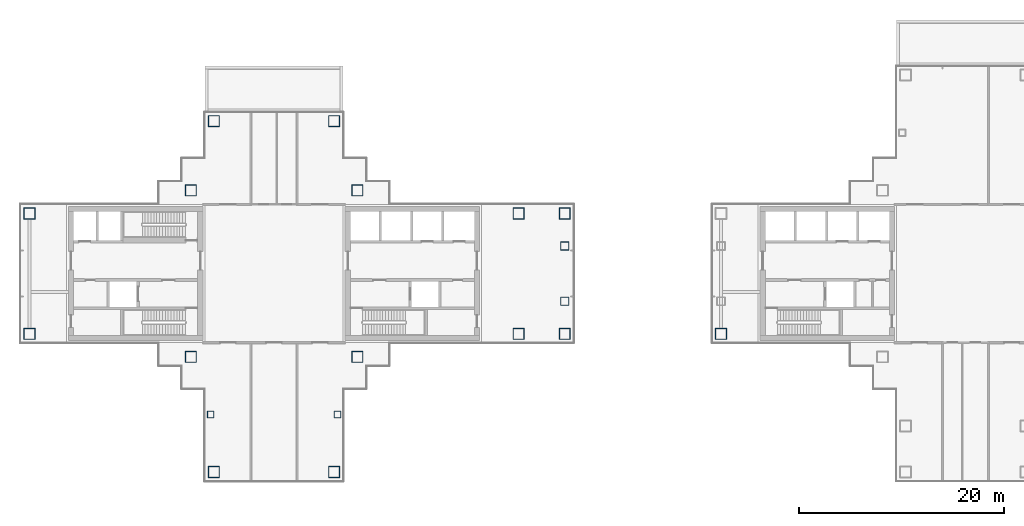
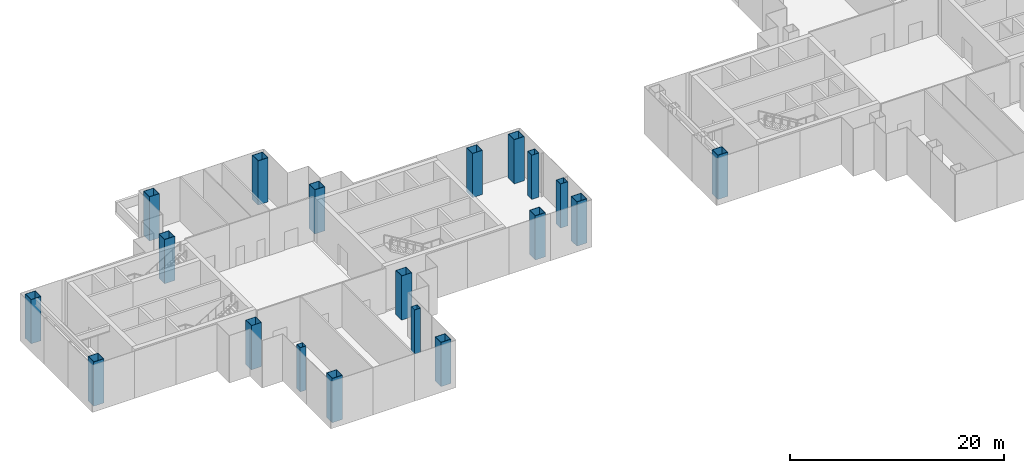
# One storey, part 1 of 15: 19 columns.
"""IFC4 building model written with IfcOpenShell, lengths in metres."""

from ifc_helpers import new_model, si_unit, direction, frame, origin, origin_2d, place, context, subcontext, project, spatial, hollow_rectangle, extrude, material, material_profile, profile_set, type_object, element, save


model = new_model("IFC4")

# Units and contexts
model_context = context("Model", 3, precision=1e-05, world=origin(), true_north=direction((0.0, 1.0)))
body_context = subcontext(model_context, "Body", "Model", "MODEL_VIEW")
ifc_project = project(units=[si_unit("LENGTHUNIT", "METRE"), si_unit("AREAUNIT", "SQUARE_METRE"), si_unit("VOLUMEUNIT", "CUBIC_METRE"), si_unit("PLANEANGLEUNIT", "RADIAN"), si_unit("MASSUNIT", "GRAM", prefix="KILO")], contexts=[model_context])

# Site, building, storey
site_placement = place(None, origin())
site = spatial("IfcSite", under=ifc_project, at=site_placement, CompositionType="ELEMENT")
building_placement = place(site_placement, origin())
building = spatial("IfcBuilding", under=site, at=building_placement, Name="Shamsa Quay Exchange Towers", CompositionType="ELEMENT")
storey_placement = place(building_placement, frame((0.0, 0.0, 133.5)))
storey = spatial("IfcBuildingStorey", under=building, at=storey_placement, Name="L31", CompositionType="ELEMENT", Elevation=133.5)

# Columns
ifc_material_1 = material(Name="Concrete-filled steel tube S355 / C80/95", Category="concrete")
ifc_material_profile_1 = material_profile(ifc_material_1, hollow_rectangle(XDim=1.10009765625, YDim=1.10009765625, WallThickness=0.0400390625, at=origin_2d()), Name="CFT 1100x1100x40")
ifc_profile_set_1 = profile_set([ifc_material_profile_1], Name="Concrete-filled steel tube S355 / C80/95")
column_type_1 = type_object("IfcColumnType", Name="Column CFT 1100x1100x40", PredefinedType="COLUMN", material=ifc_profile_set_1)
for number, where, name in (
    (1, (-25.625, 8.125, 0.0), "Mega column T1-CM01"),
    (2, (-25.625, -8.125, 0.0), "Mega column T1-CM02"),
    (3, (-41.875, 8.125, 0.0), "Mega column T1-CM03"),
    (4, (-41.875, -8.125, 0.0), "Mega column T1-CM04"),
    (5, (-9.875, -5.875, 0.0), "Mega column T1-CM05"),
    (6, (-5.375, -5.875, 0.0), "Mega column T1-CM06"),
    (7, (-9.875, 5.875, 0.0), "Mega column T1-CM07"),
    (8, (-5.375, 5.875, 0.0), "Mega column T1-CM08"),
    (9, (-57.625, -5.875, 0.0), "Mega column T1-CM09"),
    (10, (-57.625, 5.875, 0.0), "Mega column T1-CM11"),
    (11, (-39.625, 14.875, 0.0), "Mega column T1-CM13"),
    (12, (-27.875, 14.875, 0.0), "Mega column T1-CM16"),
    (13, (-39.625, -19.375, 0.0), "Mega column T1-CM20"),
    (14, (-27.875, -19.375, 0.0), "Mega column T1-CM23"),
    (15, (9.875, -5.875, 0.0), "Mega column T2-CM19"),
):
    element("IfcColumn", number, at=place(storey_placement, frame(where)), inside=storey, type_object=column_type_1, Name=name, PredefinedType="COLUMN", context=body_context, shape_type="SweptSolid", body=[
        extrude(hollow_rectangle(XDim=1.10009765625, YDim=1.10009765625, WallThickness=0.0400390625, at=origin_2d()), origin(), (0.0, 0.0, 1.0), 5.050048828125),
    ])
ifc_material_2 = material(Name="Concrete-filled steel tube S355 / C60/75", Category="concrete")
ifc_material_profile_2 = material_profile(ifc_material_2, hollow_rectangle(XDim=0.64990234375, YDim=0.64990234375, WallThickness=0.02001953125, at=origin_2d()), Name="CFT 650x650x20")
ifc_profile_set_2 = profile_set([ifc_material_profile_2], Name="Concrete-filled steel tube S355 / C60/75")
column_type_2 = type_object("IfcColumnType", Name="Column CFT 650x650x20", PredefinedType="COLUMN", material=ifc_profile_set_2)
for number, where, name in (
    (16, (-39.9375, -13.75, 0.0), "Perimeter column T1-CP19"),
    (17, (-27.5625, -13.75, 0.0), "Perimeter column T1-CP22"),
):
    element("IfcColumn", number, at=place(storey_placement, frame(where)), inside=storey, type_object=column_type_2, Name=name, PredefinedType="COLUMN", context=body_context, shape_type="SweptSolid", body=[
        extrude(hollow_rectangle(XDim=0.64990234375, YDim=0.64990234375, WallThickness=0.02001953125, at=origin_2d()), origin(), (0.0, 0.0, 1.0), 5.050048828125),
    ])
ifc_material_3 = material(Name="Concrete-filled steel tube S355 / C70/85", Category="concrete")
ifc_material_profile_3 = material_profile(ifc_material_3, hollow_rectangle(XDim=0.800048828125, YDim=0.800048828125, WallThickness=0.030029296875, at=origin_2d()), Name="CFT 800x800x30")
ifc_profile_set_3 = profile_set([ifc_material_profile_3], Name="Concrete-filled steel tube S355 / C70/85")
column_type_3 = type_object("IfcColumnType", Name="Landing column CFT 800x800x30", PredefinedType="COLUMN", material=ifc_profile_set_3)
for number, where, name in (
    (18, (-5.375, -2.699951171875, 0.0), "Landing column T1 S"),
    (19, (-5.375, 2.699951171875, 0.0), "Landing column T1 N"),
):
    element("IfcColumn", number, at=place(storey_placement, frame(where)), inside=storey, type_object=column_type_3, Name=name, PredefinedType="COLUMN", context=body_context, shape_type="SweptSolid", body=[
        extrude(hollow_rectangle(XDim=0.800048828125, YDim=0.800048828125, WallThickness=0.030029296875, at=origin_2d()), origin(), (0.0, 0.0, 1.0), 5.050048828125),
    ])

save(model, "model.ifc")
